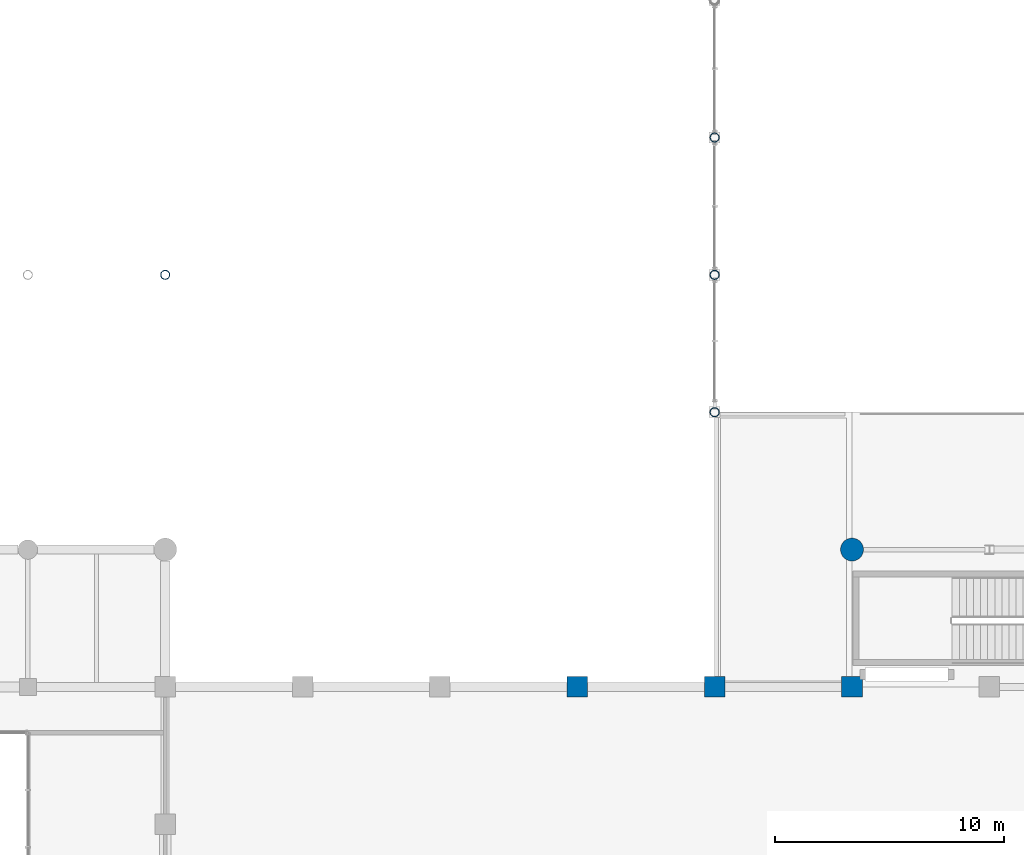
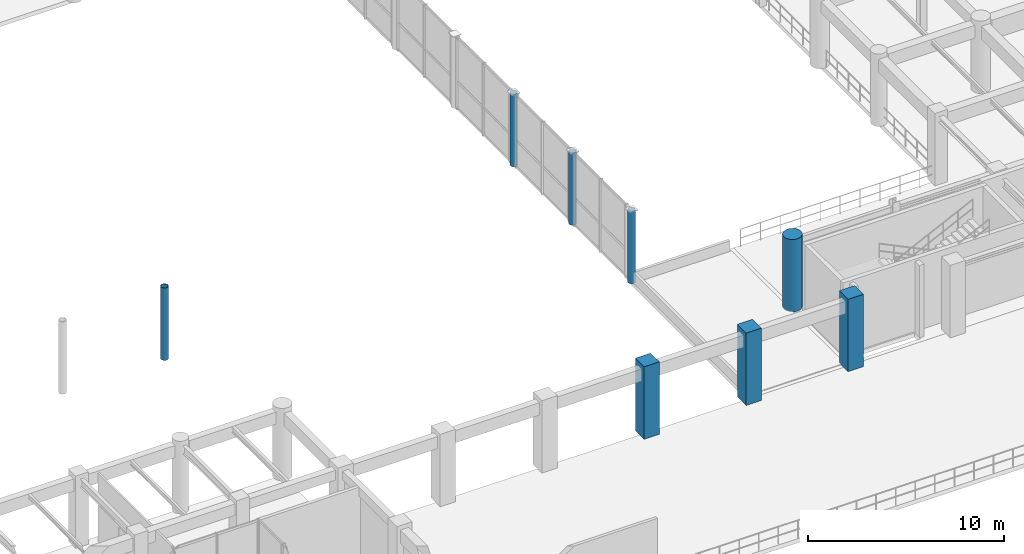
# One storey, part 6 of 133: 8 columns.
"""IFC4 building model written with IfcOpenShell, lengths in metres."""

from ifc_helpers import new_model, si_unit, direction, frame, origin, origin_2d, place, context, subcontext, project, spatial, rectangle, circle, hollow_circle, extrude, material, material_profile, profile_set, type_object, element, save


model = new_model("IFC4")

# Units and contexts
model_context = context("Model", 3, precision=1e-05, world=origin(), true_north=direction((0.0, 1.0)))
body_context = subcontext(model_context, "Body", "Model", "MODEL_VIEW")
ifc_project = project(units=[si_unit("LENGTHUNIT", "METRE"), si_unit("AREAUNIT", "SQUARE_METRE"), si_unit("VOLUMEUNIT", "CUBIC_METRE"), si_unit("PLANEANGLEUNIT", "RADIAN"), si_unit("MASSUNIT", "GRAM", prefix="KILO"), si_unit("THERMODYNAMICTEMPERATUREUNIT", "KELVIN"), si_unit("POWERUNIT", "WATT")], contexts=[model_context])

# Site, building, storey
site_placement = place(None, origin())
site = spatial("IfcSite", under=ifc_project, at=site_placement, CompositionType="ELEMENT")
building_placement = place(site_placement, origin())
building = spatial("IfcBuilding", under=site, at=building_placement, Name="Phaisarnlok Congress Hotel", CompositionType="ELEMENT")
storey_placement = place(building_placement, frame((0.0, 0.0, 6.0)))
storey = spatial("IfcBuildingStorey", under=building, at=storey_placement, Name="L01", CompositionType="ELEMENT", Elevation=6.0)

# Columns
ifc_material_1 = material(Name="Concrete C50/60", Category="concrete")
ifc_material_profile_1 = material_profile(ifc_material_1, rectangle(XDim=0.89990234375, YDim=0.89990234375, at=origin_2d()), Name="RC 900x900")
ifc_profile_set_1 = profile_set([ifc_material_profile_1], Name="Concrete C50/60")
column_type_1 = type_object("IfcColumnType", Name="COL-RC-900", PredefinedType="COLUMN", material=ifc_profile_set_1)
for number, where, z_axis, x_axis, name in (
    (1, (114.0, 36.0, 0.0), (0.0, 0.0, 1.0), (1.0, 0.0, 0.0), "Column C-08 (L01)"),
    (2, (120.0, 36.0, 0.0), (0.0, 0.0, 1.0), (1.0, 0.0, 0.0), "Column C-08 (L01)"),
    (3, (126.0, 36.0, 0.0), (0.0, 0.0, 1.0), (1.0, 0.0, 0.0), "Column C-08 (L01)"),
):
    element("IfcColumn", number, at=place(storey_placement, frame(where, z_axis=z_axis, x_axis=x_axis)), inside=storey, type_object=column_type_1, Name=name, PredefinedType="COLUMN", context=body_context, shape_type="SweptSolid", body=[
        extrude(rectangle(XDim=0.89990234375, YDim=0.89990234375, at=origin_2d()), origin(), (0.0, 0.0, 1.0), 4.5),
    ])
ifc_material_profile_2 = material_profile(ifc_material_1, circle(Radius=0.5, at=origin_2d()), Name="RCC D1000")
ifc_profile_set_2 = profile_set([ifc_material_profile_2], Name="Concrete C50/60")
column_type_2 = type_object("IfcColumnType", Name="COL-RCC-1000", PredefinedType="COLUMN", material=ifc_profile_set_2)
column_placement = place(storey_placement, frame((126.0, 42.0, 0.0), z_axis=(0.0, 0.0, 1.0), x_axis=(1.0, 0.0, 0.0)))
element("IfcColumn", 4, at=column_placement, inside=storey, type_object=column_type_2, Name="Column C-15 (L01)", PredefinedType="COLUMN", context=body_context, shape_type="SweptSolid", body=[
    extrude(circle(Radius=0.5, at=origin_2d()), origin(), (0.0, 0.0, 1.0), 4.5),
])
ifc_material_2 = material(Name="Steel S355", Category="steel")
ifc_material_profile_3 = material_profile(ifc_material_2, hollow_circle(Radius=0.203125, WallThickness=0.02001953125, at=origin_2d()), Name="CHS 406.4x20")
ifc_profile_set_3 = profile_set([ifc_material_profile_3], Name="Steel S355")
column_type_3 = type_object("IfcColumnType", Name="COL-STL-CHS406-EXT", PredefinedType="COLUMN", material=ifc_profile_set_3)
for number, where, z_axis, x_axis, name in (
    (5, (120.0, 48.0, 0.0), (0.0, 0.0, 1.0), (1.0, 0.0, 0.0), "Column SC-02E (L01)"),
    (6, (120.0, 54.0, 0.0), (0.0, 0.0, 1.0), (1.0, 0.0, 0.0), "Column SC-02E (L01)"),
    (7, (120.0, 60.0, 0.0), (0.0, 0.0, 1.0), (1.0, 0.0, 0.0), "Column SC-02E (L01)"),
    (8, (96.0, 54.0, 0.0), (0.0, 0.0, 1.0), (1.0, 0.0, 0.0), "Cloister colonnade wing-truss anchor column SC-02E (L01)"),
):
    element("IfcColumn", number, at=place(storey_placement, frame(where, z_axis=z_axis, x_axis=x_axis)), inside=storey, type_object=column_type_3, Name=name, PredefinedType="COLUMN", context=body_context, shape_type="SweptSolid", body=[
        extrude(hollow_circle(Radius=0.203125, WallThickness=0.02001953125, at=origin_2d()), origin(), (0.0, 0.0, 1.0), 4.5),
    ])

save(model, "model.ifc")
